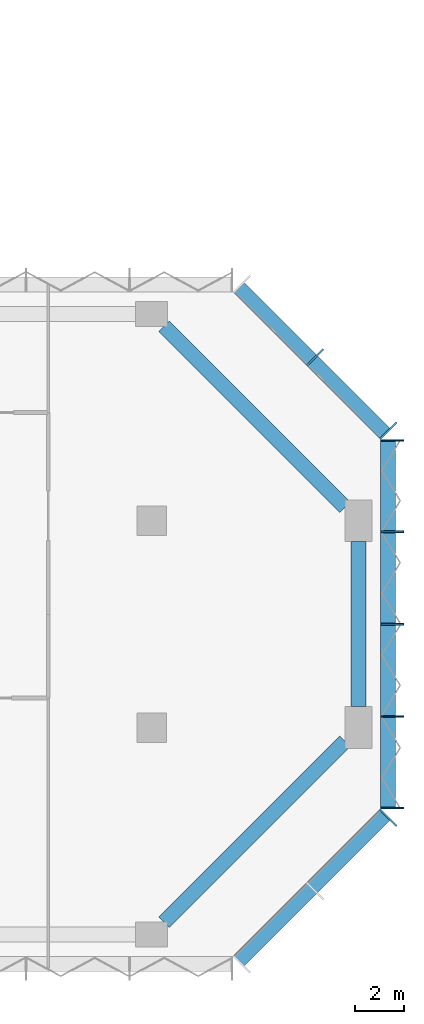
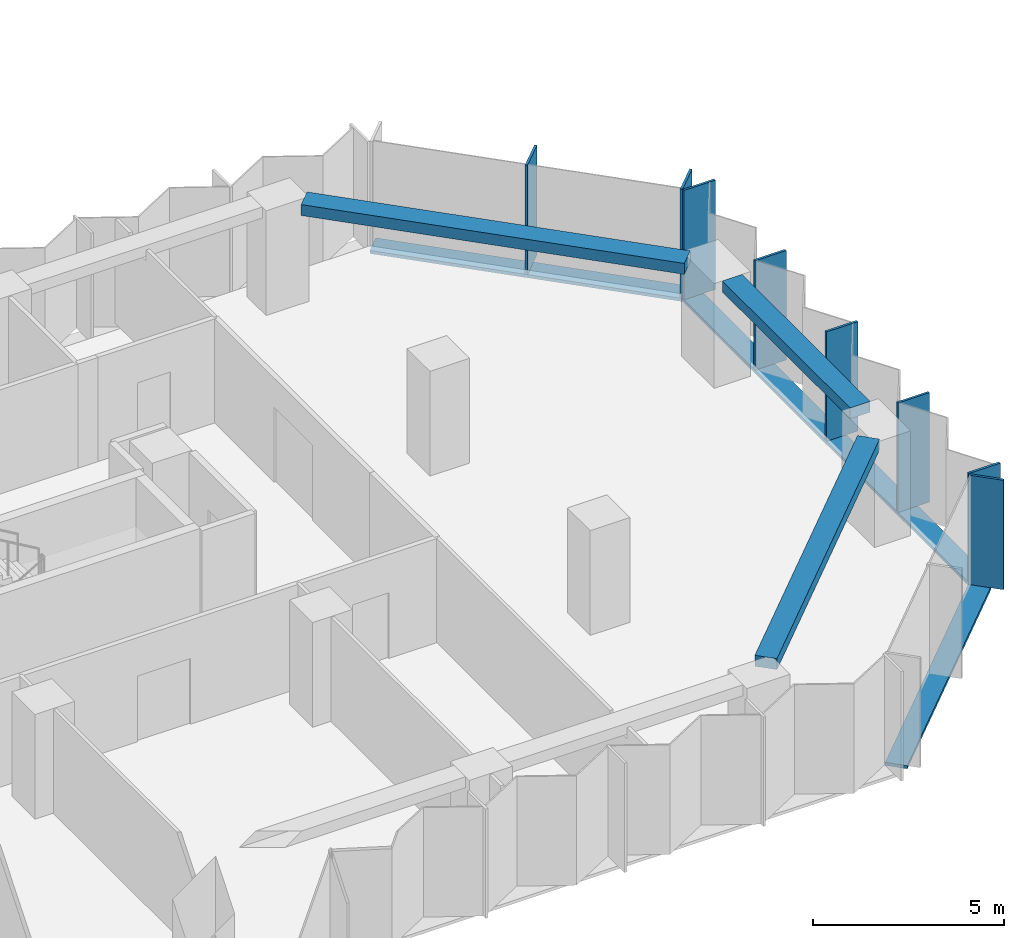
# One storey, part 4 of 13: 11 members, 3 beams, 3 elements without a shape of their own.
"""IFC4 building model written with IfcOpenShell, lengths in metres."""

from ifc_helpers import new_model, si_unit, direction, frame, origin, origin_2d, place, context, subcontext, project, spatial, rectangle, extrude, material, material_profile, profile_set, type_object, element, aggregate, save


model = new_model("IFC4")

# Units and contexts
model_context = context("Model", 3, precision=1e-05, world=origin(), true_north=direction((0.0, 1.0)))
body_context = subcontext(model_context, "Body", "Model", "MODEL_VIEW")
ifc_project = project(units=[si_unit("LENGTHUNIT", "METRE"), si_unit("AREAUNIT", "SQUARE_METRE"), si_unit("VOLUMEUNIT", "CUBIC_METRE"), si_unit("PLANEANGLEUNIT", "RADIAN"), si_unit("MASSUNIT", "GRAM", prefix="KILO")], contexts=[model_context])

# Site, building, storey
site_placement = place(None, origin())
site = spatial("IfcSite", under=ifc_project, at=site_placement, CompositionType="ELEMENT")
building_placement = place(site_placement, origin())
building = spatial("IfcBuilding", under=site, at=building_placement, Name="Brevane Broadcast Tower", CompositionType="ELEMENT")
storey_placement = place(building_placement, frame((0.0, 0.0, 124.10009765625)))
storey = spatial("IfcBuildingStorey", under=building, at=storey_placement, Name="L30", CompositionType="ELEMENT", Elevation=124.10009765625)

# Curtain wall, member
ifc_material_1 = material(Name="Aluminium 6063-T6 bronze anodised", Category="aluminium")
curtain_wall_type = type_object("IfcCurtainWallType", Name="CW-1 curtain wall", PredefinedType="NOTDEFINED", material=ifc_material_1)
curtain_wall_1_placement = place(storey_placement, origin())
curtain_wall_1 = element("IfcCurtainWall", 1, at=curtain_wall_1_placement, inside=storey, type_object=curtain_wall_type, Name="CW-1 typical tilted unit L30 south-east chamfer", PredefinedType="NOTDEFINED")
ifc_material_profile_1 = material_profile(ifc_material_1, rectangle(XDim=0.949951171875, YDim=0.070068359375, at=origin_2d()), Name="RECT 70x950")
ifc_profile_set_1 = profile_set([ifc_material_profile_1], Name="Aluminium 6063-T6 bronze anodised")
member_type_1 = type_object("IfcMemberType", Name="CW-1 mullion 70x950", PredefinedType="MULLION", material=ifc_profile_set_1)
member_1_placement = place(storey_placement, frame((68.4111328125, 4.7392578125, -0.150146484375), z_axis=(0.0, 0.0, 1.0), x_axis=(-0.707106781187, 0.707106781187, 0.0)))
member_1 = element("IfcMember", 2, at=member_1_placement, type_object=member_type_1, Name="CW-1 mullion", PredefinedType="MULLION", context=body_context, shape_type="SweptSolid", body=[
    extrude(rectangle(XDim=0.949951171875, YDim=0.070068359375, at=origin_2d()), origin(), (0.0, 0.0, 1.0), 3.5),
])

# Curtain wall, members
curtain_wall_2_placement = place(storey_placement, origin())
curtain_wall_2 = element("IfcCurtainWall", 3, at=curtain_wall_2_placement, inside=storey, type_object=curtain_wall_type, Name="CW-1 typical tilted unit L30 east end", PredefinedType="NOTDEFINED")
member_2_placement = place(storey_placement, frame((68.574951171875, 5.135009765625, -0.150146484375), z_axis=(0.0, 0.0, 1.0), x_axis=(-1.0, 0.0, 0.0)))
member_2 = element("IfcMember", 4, at=member_2_placement, type_object=member_type_1, Name="CW-1 mullion", PredefinedType="MULLION", context=body_context, shape_type="SweptSolid", body=[
    extrude(rectangle(XDim=0.949951171875, YDim=0.070068359375, at=origin_2d()), origin(), (0.0, 0.0, 1.0), 3.5),
])
member_3_placement = place(storey_placement, frame((68.574951171875, 8.85009765625, -0.150146484375), z_axis=(0.0, 0.0, 1.0), x_axis=(-1.0, 0.0, 0.0)))
member_3 = element("IfcMember", 5, at=member_3_placement, type_object=member_type_1, Name="CW-1 mullion", PredefinedType="MULLION", context=body_context, shape_type="SweptSolid", body=[
    extrude(rectangle(XDim=0.949951171875, YDim=0.070068359375, at=origin_2d()), origin(), (0.0, 0.0, 1.0), 3.5),
])
member_4_placement = place(storey_placement, frame((68.574951171875, 12.60009765625, -0.150146484375), z_axis=(0.0, 0.0, 1.0), x_axis=(-1.0, 0.0, 0.0)))
member_4 = element("IfcMember", 6, at=member_4_placement, type_object=member_type_1, Name="CW-1 mullion", PredefinedType="MULLION", context=body_context, shape_type="SweptSolid", body=[
    extrude(rectangle(XDim=0.949951171875, YDim=0.070068359375, at=origin_2d()), origin(), (0.0, 0.0, 1.0), 3.5),
])
member_5_placement = place(storey_placement, frame((68.574951171875, 16.35009765625, -0.150146484375), z_axis=(0.0, 0.0, 1.0), x_axis=(-1.0, 0.0, 0.0)))
member_5 = element("IfcMember", 7, at=member_5_placement, type_object=member_type_1, Name="CW-1 mullion", PredefinedType="MULLION", context=body_context, shape_type="SweptSolid", body=[
    extrude(rectangle(XDim=0.949951171875, YDim=0.070068359375, at=origin_2d()), origin(), (0.0, 0.0, 1.0), 3.5),
])
member_6_placement = place(storey_placement, frame((68.574951171875, 20.06494140625, -0.150146484375), z_axis=(0.0, 0.0, 1.0), x_axis=(-1.0, 0.0, 0.0)))
member_6 = element("IfcMember", 8, at=member_6_placement, type_object=member_type_1, Name="CW-1 mullion", PredefinedType="MULLION", context=body_context, shape_type="SweptSolid", body=[
    extrude(rectangle(XDim=0.949951171875, YDim=0.070068359375, at=origin_2d()), origin(), (0.0, 0.0, 1.0), 3.5),
])

curtain_wall_3_placement = place(storey_placement, origin())
curtain_wall_3 = element("IfcCurtainWall", 9, at=curtain_wall_3_placement, inside=storey, type_object=curtain_wall_type, Name="CW-1 typical tilted unit L30 north-east chamfer", PredefinedType="NOTDEFINED")
member_7_placement = place(storey_placement, frame((68.4111328125, 20.460693359375, -0.150146484375), z_axis=(0.0, 0.0, 1.0), x_axis=(-0.707106781187, -0.707106781187, 0.0)))
member_7 = element("IfcMember", 10, at=member_7_placement, type_object=member_type_1, Name="CW-1 mullion", PredefinedType="MULLION", context=body_context, shape_type="SweptSolid", body=[
    extrude(rectangle(XDim=0.949951171875, YDim=0.070068359375, at=origin_2d()), origin(), (0.0, 0.0, 1.0), 3.5),
])
member_8_placement = place(storey_placement, frame((65.435791015625, 23.435791015625, -0.150146484375), z_axis=(0.0, 0.0, 1.0), x_axis=(-0.707106781187, -0.707106781187, 0.0)))
member_8 = element("IfcMember", 11, at=member_8_placement, type_object=member_type_1, Name="CW-1 mullion", PredefinedType="MULLION", context=body_context, shape_type="SweptSolid", body=[
    extrude(rectangle(XDim=0.949951171875, YDim=0.070068359375, at=origin_2d()), origin(), (0.0, 0.0, 1.0), 3.5),
])

# Member
ifc_material_profile_2 = material_profile(ifc_material_1, rectangle(XDim=0.60009765625, YDim=0.10009765625, at=origin_2d()), Name="RECT 100x600")
ifc_profile_set_2 = profile_set([ifc_material_profile_2], Name="Aluminium 6063-T6 bronze anodised")
member_type_2 = type_object("IfcMemberType", Name="CW-1 transom 100x600", PredefinedType="USERDEFINED", material=ifc_profile_set_2)
member_9_placement = place(storey_placement, frame((62.31201171875, -1.112060546875, -0.2001953125), z_axis=(0.707106781187, 0.707106781187, 0.0), x_axis=(-0.707106781187, 0.707106781187, 0.0)))
member_9 = element("IfcMember", 12, at=member_9_placement, type_object=member_type_2, Name="CW-1 transom", ObjectType="TRANSOM", PredefinedType="USERDEFINED", context=body_context, shape_type="SweptSolid", body=[
    extrude(rectangle(XDim=0.60009765625, YDim=0.10009765625, at=origin_2d()), origin(), (0.0, 0.0, 1.0), 8.4853515625),
])

aggregate(curtain_wall_1, [member_1, member_9])

member_10_placement = place(storey_placement, frame((68.39990234375, 5.10009765625, -0.2001953125), z_axis=(0.0, 1.0, 0.0), x_axis=(-1.0, 0.0, 0.0)))
member_10 = element("IfcMember", 13, at=member_10_placement, type_object=member_type_2, Name="CW-1 transom", ObjectType="TRANSOM", PredefinedType="USERDEFINED", context=body_context, shape_type="SweptSolid", body=[
    extrude(rectangle(XDim=0.60009765625, YDim=0.10009765625, at=origin_2d()), origin(), (0.0, 0.0, 1.0), 15.0),
])

aggregate(curtain_wall_2, [member_2, member_3, member_4, member_5, member_6, member_10])

member_11_placement = place(storey_placement, frame((68.31201171875, 20.31201171875, -0.2001953125), z_axis=(-0.707106781187, 0.707106781187, 0.0), x_axis=(-0.707106781187, -0.707106781187, 0.0)))
member_11 = element("IfcMember", 14, at=member_11_placement, type_object=member_type_2, Name="CW-1 transom", ObjectType="TRANSOM", PredefinedType="USERDEFINED", context=body_context, shape_type="SweptSolid", body=[
    extrude(rectangle(XDim=0.60009765625, YDim=0.10009765625, at=origin_2d()), origin(), (0.0, 0.0, 1.0), 8.4853515625),
])

aggregate(curtain_wall_3, [member_7, member_8, member_11])

# Beams
ifc_material_2 = material(Name="Concrete C40/50", Category="concrete")
ifc_material_profile_3 = material_profile(ifc_material_2, rectangle(XDim=0.60009765625, YDim=0.35009765625, at=origin_2d()), Name="RC 600x350")
ifc_profile_set_3 = profile_set([ifc_material_profile_3], Name="Concrete C40/50")
beam_type = type_object("IfcBeamType", Name="RC SPANDREL BEAM 600x350 C40/50", PredefinedType="SPANDREL", material=ifc_profile_set_3)
beam_1_placement = place(storey_placement, frame((59.300048828125, 0.5, 3.1748046875), z_axis=(0.707095037275, 0.707118524903, 0.0), x_axis=(-0.707118524903, 0.707095037275, 0.0)))
element("IfcBeam", 15, at=beam_1_placement, inside=storey, type_object=beam_type, Name="EB1 L30-5", PredefinedType="SPANDREL", context=body_context, shape_type="SweptSolid", body=[
    extrude(rectangle(XDim=0.60009765625, YDim=0.35009765625, at=origin_2d()), origin(), (0.0, 0.0, 1.0), 10.39453125),
])
beam_2_placement = place(storey_placement, frame((67.199951171875, 9.25, 3.1748046875), z_axis=(0.0, 1.0, 0.0), x_axis=(-1.0, 0.0, 0.0)))
element("IfcBeam", 16, at=beam_2_placement, inside=storey, type_object=beam_type, Name="EB1 L30-6", PredefinedType="SPANDREL", context=body_context, shape_type="SweptSolid", body=[
    extrude(rectangle(XDim=0.60009765625, YDim=0.35009765625, at=origin_2d()), origin(), (0.0, 0.0, 1.0), 6.699951171875),
])
beam_3_placement = place(storey_placement, frame((66.64990234375, 17.35009765625, 3.1748046875), z_axis=(-0.707106781187, 0.707106781187, 0.0), x_axis=(-0.707106781187, -0.707106781187, 0.0)))
element("IfcBeam", 17, at=beam_3_placement, inside=storey, type_object=beam_type, Name="EB1 L30-7", PredefinedType="SPANDREL", context=body_context, shape_type="SweptSolid", body=[
    extrude(rectangle(XDim=0.60009765625, YDim=0.35009765625, at=origin_2d()), origin(), (0.0, 0.0, 1.0), 10.394287109375),
])

save(model, "model.ifc")
